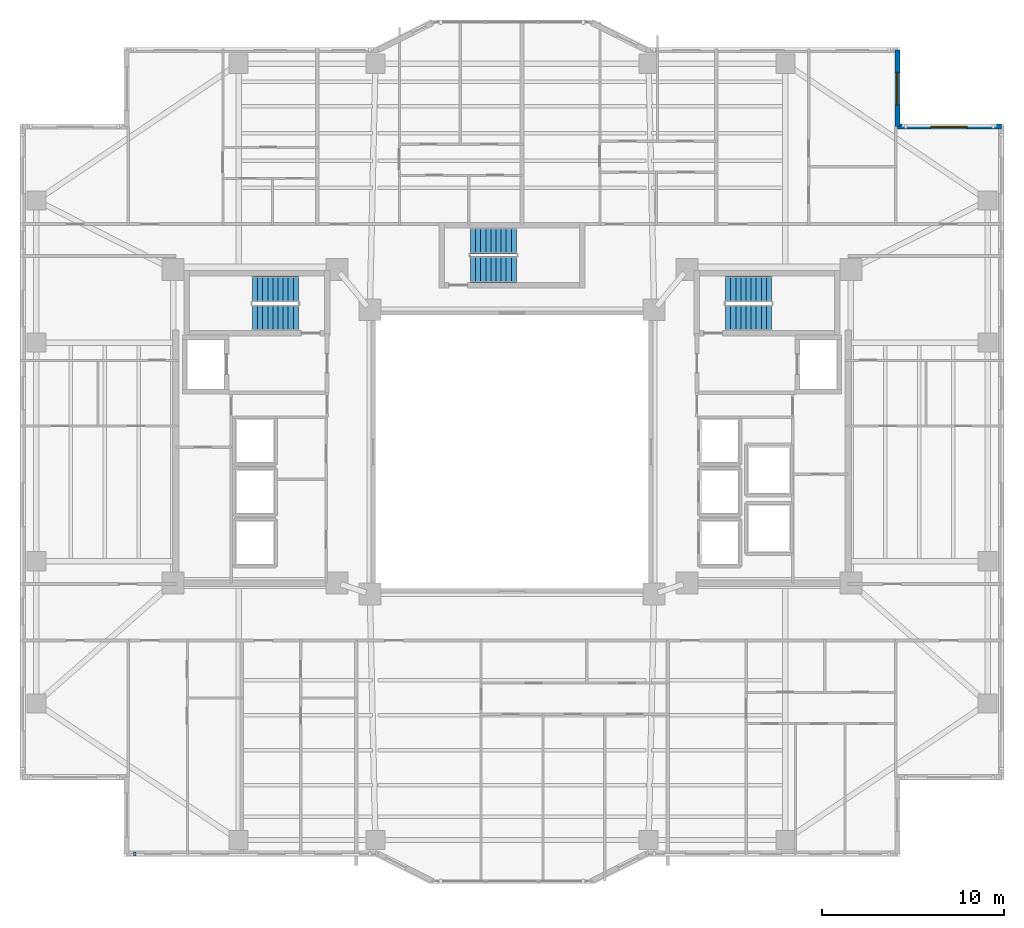
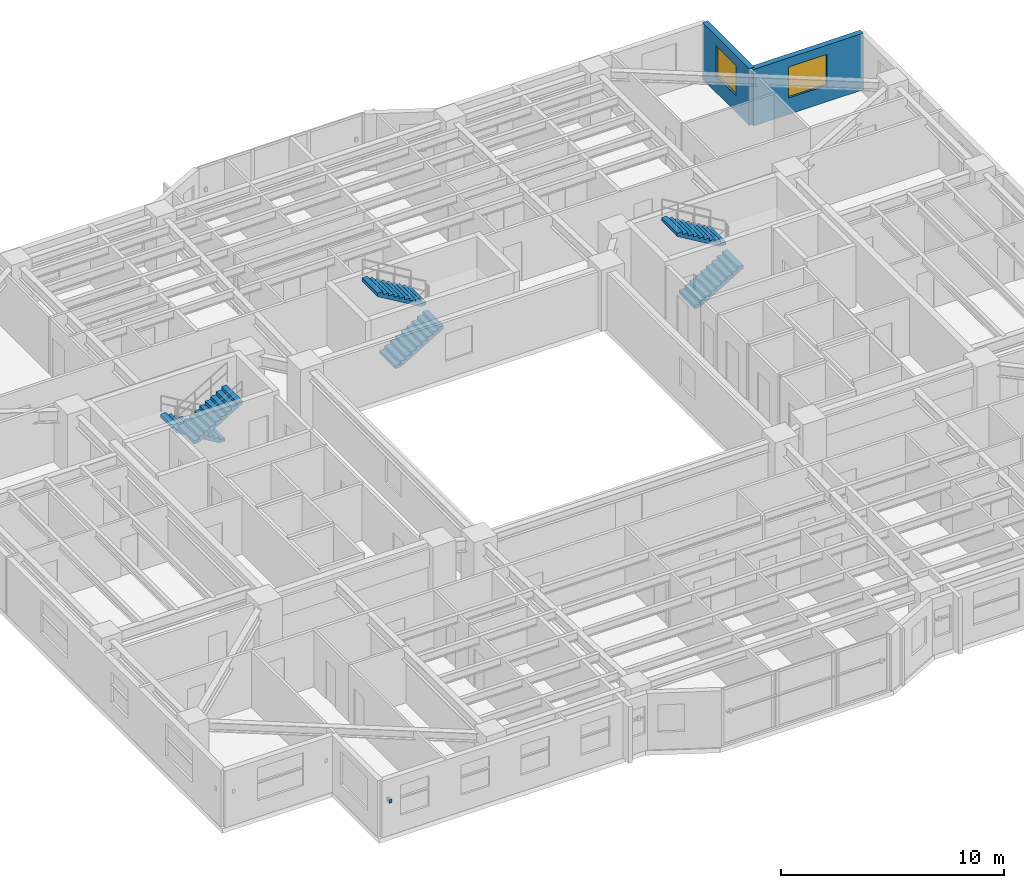
# One storey, part 12 of 19: 6 stair flights, 2 walls, 2 windows, 1 discrete accessory, 2 openings, 3 elements without a shape of their own.
"""IFC4 building model written with IfcOpenShell, lengths in metres."""

from ifc_helpers import new_model, si_unit, direction, frame, frame_2d, origin, origin_2d, place, context, subcontext, project, spatial, polyline, rectangle, outline, extrude, material, layer, layer_set, type_object, element, fill, aggregate, save


model = new_model("IFC4")

# Units and contexts
model_context = context("Model", 3, precision=1e-05, world=origin(), true_north=direction((0.0, 1.0)))
body_context = subcontext(model_context, "Body", "Model", "MODEL_VIEW")
ifc_project = project(units=[si_unit("LENGTHUNIT", "METRE"), si_unit("AREAUNIT", "SQUARE_METRE"), si_unit("VOLUMEUNIT", "CUBIC_METRE"), si_unit("PLANEANGLEUNIT", "RADIAN"), si_unit("MASSUNIT", "GRAM", prefix="KILO")], contexts=[model_context])

# Site, building, storey
site_placement = place(None, origin())
site = spatial("IfcSite", under=ifc_project, at=site_placement, CompositionType="ELEMENT")
building_placement = place(site_placement, origin())
building = spatial("IfcBuilding", under=site, at=building_placement, Name="Tarnavaz Court Tower", CompositionType="ELEMENT")
storey_placement = place(building_placement, frame((0.0, 0.0, 111.800048828125)))
storey = spatial("IfcBuildingStorey", under=building, at=storey_placement, Name="L30", CompositionType="ELEMENT", Elevation=111.800048828125)

# Wall, opening, window
ifc_material_1 = material(Name="Precast Concrete C40/50", Category="concrete")
ifc_layer = layer(ifc_material_1, 0.280029296875)
ifc_layer_set = layer_set([ifc_layer], Name="Precast Concrete C40/50")
wall_type = type_object("IfcWallType", Name="WL-EXT-280", PredefinedType="SOLIDWALL", material=ifc_layer_set)
wall_1_placement = place(storey_placement, frame((21.14990234375, 22.050048828125, 0.0), z_axis=(0.0, 0.0, 1.0), x_axis=(0.0, -1.0, 0.0)))
wall_1 = element("IfcWall", 1, at=wall_1_placement, inside=storey, type_object=wall_type, Name="L30 Exterior Terracotta Facade Wall 10", PredefinedType="SOLIDWALL", context=body_context, shape_type="SweptSolid", body=[
    extrude(rectangle(XDim=4.199951171875, YDim=0.280029296875, at=frame_2d((2.10009765625, 0.0))), origin(), (0.0, 0.0, 1.0), 3.099853515625),
])
opening_1_placement = place(wall_1_placement, frame((1.2177734375, 0.0, 0.89990234375)))
opening_1 = element("IfcOpeningElement", 2, at=opening_1_placement, cuts=wall_1, Name="Opening W01", PredefinedType="OPENING", context=body_context, shape_type="SweptSolid", body=[
    extrude(rectangle(XDim=1.800048828125, YDim=1.64990234375, at=frame_2d((0.89990234375, 0.824951171875))), frame((0.0, 0.14990234375, 0.0), z_axis=(0.0, -1.0, 0.0), x_axis=(1.0, 0.0, 0.0)), (0.0, 0.0, 1.0), 0.300048828125),
])
ifc_material_2 = material(Name="Double-Glazed Solar Low-E Glass", Category="glass")
window_type_1 = type_object("IfcWindowType", Name="WN-APT-1800", PartitioningType="DOUBLE_PANEL_VERTICAL", PredefinedType="WINDOW", material=ifc_material_2)
window_1_placement = place(opening_1_placement, origin())
window_1 = element("IfcWindow", 3, at=window_1_placement, inside=storey, type_object=window_type_1, Name="L30 Flat 04 Kitchen Window", OverallHeight=1.64990234375, OverallWidth=1.800048828125, PartitioningType="SINGLE_PANEL", PredefinedType="WINDOW", context=body_context, shape_type="SweptSolid", body=[
    extrude(rectangle(XDim=1.800048828125, YDim=1.64990234375, at=frame_2d((0.89990234375, 0.824951171875))), frame((0.0, 0.030029296875, 0.0), z_axis=(0.0, -1.0, 0.0), x_axis=(1.0, 0.0, 0.0)), (0.0, 0.0, 1.0), 0.06005859375),
])
fill(opening_1, window_1)

wall_2_placement = place(storey_placement, frame((21.14990234375, 17.85009765625, 0.0), z_axis=(0.0, 0.0, 1.0), x_axis=(1.0, 0.0, 0.0)))
wall_2 = element("IfcWall", 4, at=wall_2_placement, inside=storey, type_object=wall_type, Name="L30 Exterior Terracotta Facade Wall 11", PredefinedType="SOLIDWALL", context=body_context, shape_type="SweptSolid", body=[
    extrude(rectangle(XDim=5.7001953125, YDim=0.280029296875, at=frame_2d((2.85009765625, 0.0))), origin(), (0.0, 0.0, 1.0), 3.099853515625),
])
opening_2_placement = place(wall_2_placement, frame((1.824951171875, 0.0, 0.89990234375)))
opening_2 = element("IfcOpeningElement", 5, at=opening_2_placement, cuts=wall_2, Name="Opening W08", PredefinedType="OPENING", context=body_context, shape_type="SweptSolid", body=[
    extrude(rectangle(XDim=2.0, YDim=1.699951171875, at=frame_2d((1.0, 0.85009765625))), frame((0.0, 0.14990234375, 0.0), z_axis=(0.0, -1.0, 0.0), x_axis=(1.0, 0.0, 0.0)), (0.0, 0.0, 1.0), 0.300048828125),
])
window_type_2 = type_object("IfcWindowType", Name="WN-APT-2000", PartitioningType="DOUBLE_PANEL_VERTICAL", PredefinedType="WINDOW", material=ifc_material_2)
window_2_placement = place(opening_2_placement, origin())
window_2 = element("IfcWindow", 6, at=window_2_placement, inside=storey, type_object=window_type_2, Name="L30 North-East Corner Sunroom Study Window", OverallHeight=1.699951171875, OverallWidth=2.0, PartitioningType="SINGLE_PANEL", PredefinedType="WINDOW", context=body_context, shape_type="SweptSolid", body=[
    extrude(rectangle(XDim=2.0, YDim=1.699951171875, at=frame_2d((1.0, 0.85009765625))), frame((0.0, 0.030029296875, 0.0), z_axis=(0.0, -1.0, 0.0), x_axis=(1.0, 0.0, 0.0)), (0.0, 0.0, 1.0), 0.06005859375),
])
fill(opening_2, window_2)

# Stair, stair flights
ifc_material_3 = material(Name="Concrete C40/50", Category="concrete")
stair_type = type_object("IfcStairType", Name="ST-TWR-20R", PredefinedType="HALF_TURN_STAIR", material=ifc_material_3)
stair_1_placement = place(storey_placement, origin())
stair_1 = element("IfcStair", 7, at=stair_1_placement, inside=storey, type_object=stair_type, Name="L30 West Core Pressurized Exit Stair ST-W1", PredefinedType="HALF_TURN_STAIR")
stair_flight_type = type_object("IfcStairFlightType", Name="SFL-RC-20R", PredefinedType="STRAIGHT", material=ifc_material_3)
stair_flight_1_placement = place(storey_placement, frame((-11.719970703125, 8.929931640625, 0.0), z_axis=(0.0, 0.0, 1.0), x_axis=(-1.0, 0.0, 0.0)))
stair_flight_1 = element("IfcStairFlight", 8, at=stair_flight_1_placement, type_object=stair_flight_type, Name="ST-W1 flight 1", NumberOfRisers=10, NumberOfTreads=9, PredefinedType="STRAIGHT", RiserHeight=0.1675, TreadLength=0.28, context=body_context, shape_type="SweptSolid", body=[
    extrude(outline(polyline([(0.0, 0.0), (0.0, 0.16748046875), (0.280029296875, 0.16748046875), (0.280029296875, 0.3349609375), (0.56005859375, 0.3349609375), (0.56005859375, 0.50244140625), (0.840087890625, 0.50244140625), (0.840087890625, 0.669921875), (1.1201171875, 0.669921875), (1.1201171875, 0.83740234375), (1.39990234375, 0.83740234375), (1.39990234375, 1.0048828125), (1.679931640625, 1.0048828125), (1.679931640625, 1.172607421875), (1.9599609375, 1.172607421875), (1.9599609375, 1.340087890625), (2.239990234375, 1.340087890625), (2.239990234375, 1.507568359375), (2.52001953125, 1.507568359375), (2.52001953125, 1.675048828125), (2.52001953125, 1.332763671875), (0.2919921875, 0.0), (0.0, 0.0)])), frame((0.0, 0.7099609375, 0.0), z_axis=(0.0, -1.0, 0.0), x_axis=(1.0, 0.0, 0.0)), (0.0, 0.0, 1.0), 1.419921875),
])
stair_flight_2_placement = place(storey_placement, frame((-14.239990234375, 7.360107421875, 1.675048828125), z_axis=(0.0, 0.0, 1.0), x_axis=(1.0, 0.0, 0.0)))
stair_flight_2 = element("IfcStairFlight", 9, at=stair_flight_2_placement, type_object=stair_flight_type, Name="ST-W1 flight 2", NumberOfRisers=10, NumberOfTreads=9, PredefinedType="STRAIGHT", RiserHeight=0.1675, TreadLength=0.28, context=body_context, shape_type="SweptSolid", body=[
    extrude(outline(polyline([(0.0, 0.0), (0.0, 0.16748046875), (0.280029296875, 0.16748046875), (0.280029296875, 0.3349609375), (0.56005859375, 0.3349609375), (0.56005859375, 0.50244140625), (0.840087890625, 0.50244140625), (0.840087890625, 0.669921875), (1.1201171875, 0.669921875), (1.1201171875, 0.83740234375), (1.39990234375, 0.83740234375), (1.39990234375, 1.0048828125), (1.679931640625, 1.0048828125), (1.679931640625, 1.172607421875), (1.9599609375, 1.172607421875), (1.9599609375, 1.340087890625), (2.239990234375, 1.340087890625), (2.239990234375, 1.507568359375), (2.52001953125, 1.507568359375), (2.52001953125, 1.675048828125), (2.52001953125, 1.332763671875), (0.2919921875, 0.0), (0.0, 0.0)])), frame((0.0, 0.7099609375, 0.0), z_axis=(0.0, -1.0, 0.0), x_axis=(1.0, 0.0, 0.0)), (0.0, 0.0, 1.0), 1.419921875),
])
aggregate(stair_1, [stair_flight_1, stair_flight_2])

stair_2_placement = place(storey_placement, origin())
stair_2 = element("IfcStair", 10, at=stair_2_placement, inside=storey, type_object=stair_type, Name="L30 East Core Pressurized Exit Stair ST-E1", PredefinedType="HALF_TURN_STAIR")
stair_flight_3_placement = place(storey_placement, frame((11.719970703125, 7.360107421875, 0.0), z_axis=(0.0, 0.0, 1.0), x_axis=(1.0, 0.0, 0.0)))
stair_flight_3 = element("IfcStairFlight", 11, at=stair_flight_3_placement, type_object=stair_flight_type, Name="ST-E1 flight 1", NumberOfRisers=10, NumberOfTreads=9, PredefinedType="STRAIGHT", RiserHeight=0.1675, TreadLength=0.28, context=body_context, shape_type="SweptSolid", body=[
    extrude(outline(polyline([(0.0, 0.0), (0.0, 0.16748046875), (0.280029296875, 0.16748046875), (0.280029296875, 0.3349609375), (0.56005859375, 0.3349609375), (0.56005859375, 0.50244140625), (0.840087890625, 0.50244140625), (0.840087890625, 0.669921875), (1.1201171875, 0.669921875), (1.1201171875, 0.83740234375), (1.39990234375, 0.83740234375), (1.39990234375, 1.0048828125), (1.679931640625, 1.0048828125), (1.679931640625, 1.172607421875), (1.9599609375, 1.172607421875), (1.9599609375, 1.340087890625), (2.239990234375, 1.340087890625), (2.239990234375, 1.507568359375), (2.52001953125, 1.507568359375), (2.52001953125, 1.675048828125), (2.52001953125, 1.332763671875), (0.2919921875, 0.0), (0.0, 0.0)])), frame((0.0, 0.7099609375, 0.0), z_axis=(0.0, -1.0, 0.0), x_axis=(1.0, 0.0, 0.0)), (0.0, 0.0, 1.0), 1.419921875),
])
stair_flight_4_placement = place(storey_placement, frame((14.239990234375, 8.929931640625, 1.675048828125), z_axis=(0.0, 0.0, 1.0), x_axis=(-1.0, 0.0, 0.0)))
stair_flight_4 = element("IfcStairFlight", 12, at=stair_flight_4_placement, type_object=stair_flight_type, Name="ST-E1 flight 2", NumberOfRisers=10, NumberOfTreads=9, PredefinedType="STRAIGHT", RiserHeight=0.1675, TreadLength=0.28, context=body_context, shape_type="SweptSolid", body=[
    extrude(outline(polyline([(0.0, 0.0), (0.0, 0.16748046875), (0.280029296875, 0.16748046875), (0.280029296875, 0.3349609375), (0.56005859375, 0.3349609375), (0.56005859375, 0.50244140625), (0.840087890625, 0.50244140625), (0.840087890625, 0.669921875), (1.1201171875, 0.669921875), (1.1201171875, 0.83740234375), (1.39990234375, 0.83740234375), (1.39990234375, 1.0048828125), (1.679931640625, 1.0048828125), (1.679931640625, 1.172607421875), (1.9599609375, 1.172607421875), (1.9599609375, 1.340087890625), (2.239990234375, 1.340087890625), (2.239990234375, 1.507568359375), (2.52001953125, 1.507568359375), (2.52001953125, 1.675048828125), (2.52001953125, 1.332763671875), (0.2919921875, 0.0), (0.0, 0.0)])), frame((0.0, 0.7099609375, 0.0), z_axis=(0.0, -1.0, 0.0), x_axis=(1.0, 0.0, 0.0)), (0.0, 0.0, 1.0), 1.419921875),
])
aggregate(stair_2, [stair_flight_3, stair_flight_4])

stair_3_placement = place(storey_placement, origin())
stair_3 = element("IfcStair", 13, at=stair_3_placement, inside=storey, type_object=stair_type, Name="L30 North Ring Pressurized Exit Stair ST-N1", PredefinedType="HALF_TURN_STAIR")
stair_flight_5_placement = place(storey_placement, frame((-2.280029296875, 10.010009765625, 0.0), z_axis=(0.0, 0.0, 1.0), x_axis=(1.0, 0.0, 0.0)))
stair_flight_5 = element("IfcStairFlight", 14, at=stair_flight_5_placement, type_object=stair_flight_type, Name="ST-N1 flight 1", NumberOfRisers=10, NumberOfTreads=9, PredefinedType="STRAIGHT", RiserHeight=0.1675, TreadLength=0.28, context=body_context, shape_type="SweptSolid", body=[
    extrude(outline(polyline([(0.0, 0.0), (0.0, 0.16748046875), (0.280029296875, 0.16748046875), (0.280029296875, 0.3349609375), (0.56005859375, 0.3349609375), (0.56005859375, 0.50244140625), (0.840087890625, 0.50244140625), (0.840087890625, 0.669921875), (1.1201171875, 0.669921875), (1.1201171875, 0.83740234375), (1.39990234375, 0.83740234375), (1.39990234375, 1.0048828125), (1.679931640625, 1.0048828125), (1.679931640625, 1.172607421875), (1.9599609375, 1.172607421875), (1.9599609375, 1.340087890625), (2.239990234375, 1.340087890625), (2.239990234375, 1.507568359375), (2.52001953125, 1.507568359375), (2.52001953125, 1.675048828125), (2.52001953125, 1.332763671875), (0.2919921875, 0.0), (0.0, 0.0)])), frame((0.0, 0.7099609375, 0.0), z_axis=(0.0, -1.0, 0.0), x_axis=(1.0, 0.0, 0.0)), (0.0, 0.0, 1.0), 1.419921875),
])
stair_flight_6_placement = place(storey_placement, frame((0.239990234375, 11.580078125, 1.675048828125), z_axis=(0.0, 0.0, 1.0), x_axis=(-1.0, 0.0, 0.0)))
stair_flight_6 = element("IfcStairFlight", 15, at=stair_flight_6_placement, type_object=stair_flight_type, Name="ST-N1 flight 2", NumberOfRisers=10, NumberOfTreads=9, PredefinedType="STRAIGHT", RiserHeight=0.1675, TreadLength=0.28, context=body_context, shape_type="SweptSolid", body=[
    extrude(outline(polyline([(0.0, 0.0), (0.0, 0.16748046875), (0.280029296875, 0.16748046875), (0.280029296875, 0.3349609375), (0.56005859375, 0.3349609375), (0.56005859375, 0.50244140625), (0.840087890625, 0.50244140625), (0.840087890625, 0.669921875), (1.1201171875, 0.669921875), (1.1201171875, 0.83740234375), (1.39990234375, 0.83740234375), (1.39990234375, 1.0048828125), (1.679931640625, 1.0048828125), (1.679931640625, 1.172607421875), (1.9599609375, 1.172607421875), (1.9599609375, 1.340087890625), (2.239990234375, 1.340087890625), (2.239990234375, 1.507568359375), (2.52001953125, 1.507568359375), (2.52001953125, 1.675048828125), (2.52001953125, 1.332763671875), (0.2919921875, 0.0), (0.0, 0.0)])), frame((0.0, 0.7099609375, 0.0), z_axis=(0.0, -1.0, 0.0), x_axis=(1.0, 0.0, 0.0)), (0.0, 0.0, 1.0), 1.419921875),
])
aggregate(stair_3, [stair_flight_5, stair_flight_6])

# Discrete accessory
ifc_material_4 = material(Name="Anodised Aluminium 6063-T6", Category="aluminium")
discrete_accessory_type = type_object("IfcDiscreteAccessoryType", Name="DA-BRKT-ALU", PredefinedType="BRACKET", material=ifc_material_4)
discrete_accessory_placement = place(storey_placement, frame((-20.699951171875, -22.070068359375, 1.75), z_axis=(0.0, 0.0, 1.0), x_axis=(-1.0, 0.0, 0.0)))
element("IfcDiscreteAccessory", 16, at=discrete_accessory_placement, inside=storey, type_object=discrete_accessory_type, Name="L30 Baguette Outrigger Bracket FBG19-2", PredefinedType="BRACKET", context=body_context, shape_type="SweptSolid", body=[
    extrude(rectangle(XDim=0.139892578125, YDim=0.239990234375, at=origin_2d()), origin(), (0.0, 0.0, 1.0), 0.199951171875),
])

save(model, "model.ifc")
